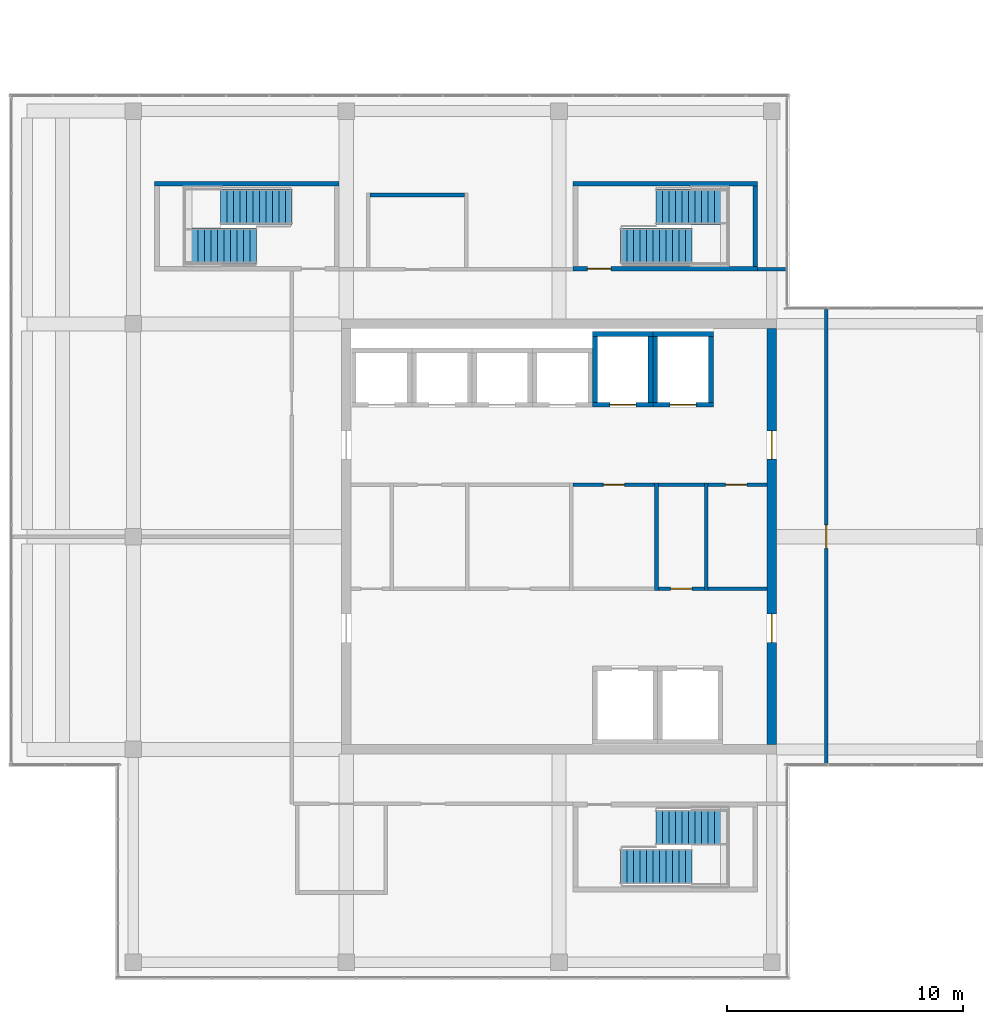
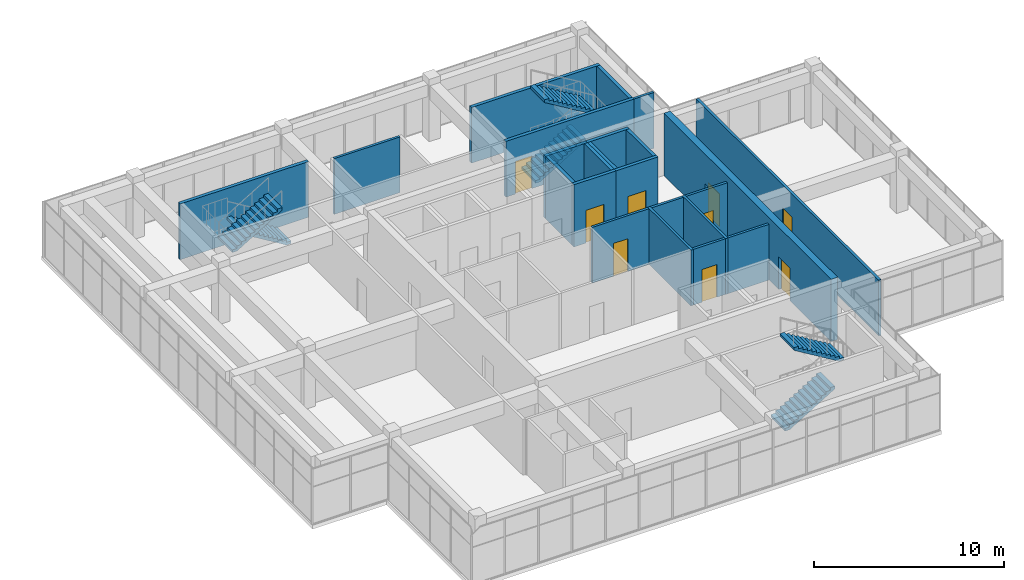
# One storey, part 30 of 32: 23 walls, 9 doors, 6 stair flights, 9 openings, 3 elements without a shape of their own.
"""IFC4 building model written with IfcOpenShell, lengths in metres."""

from ifc_helpers import new_model, si_unit, direction, frame, frame_2d, origin, place, context, subcontext, project, spatial, polyline, rectangle, outline, extrude, material, layer, layer_set, type_object, element, fill, aggregate, save


model = new_model("IFC4")

# Units and contexts
model_context = context("Model", 3, precision=1e-05, world=origin(), true_north=direction((0.0, 1.0)))
body_context = subcontext(model_context, "Body", "Model", "MODEL_VIEW")
ifc_project = project(units=[si_unit("LENGTHUNIT", "METRE"), si_unit("AREAUNIT", "SQUARE_METRE"), si_unit("VOLUMEUNIT", "CUBIC_METRE"), si_unit("PLANEANGLEUNIT", "RADIAN"), si_unit("MASSUNIT", "GRAM", prefix="KILO")], contexts=[model_context])

# Site, building, storey
site_placement = place(None, origin())
site = spatial("IfcSite", under=ifc_project, at=site_placement, CompositionType="ELEMENT")
building_placement = place(site_placement, origin())
building = spatial("IfcBuilding", under=site, at=building_placement, Name="Tuart Plaza Theatre", CompositionType="ELEMENT")
storey_placement = place(building_placement, frame((0.0, 0.0, 37.5)))
storey = spatial("IfcBuildingStorey", under=building, at=storey_placement, Name="L09", CompositionType="ELEMENT", Elevation=37.5)

# Wall
ifc_material_1 = material(Name="Masonry block", Category="masonry")
ifc_layer_1 = layer(ifc_material_1, 0.14990234375)
ifc_layer_set_1 = layer_set([ifc_layer_1], Name="PARTITION BLK150 MASONRYB FRL -/120/120")
wall_type_1 = type_object("IfcWallType", Name="PARTITION BLK150 MASONRYB FRL -/120/120", PredefinedType="PARTITIONING", material=ifc_layer_set_1)
wall_1_placement = place(storey_placement, frame((136.125, 71.72509765625, 0.0), z_axis=(0.0, 0.0, 1.0), x_axis=(0.0, 1.0, 0.0)))
element("IfcWall", 1, at=wall_1_placement, inside=storey, type_object=wall_type_1, Name="P645", PredefinedType="PARTITIONING", context=body_context, shape_type="SweptSolid", body=[
    extrude(rectangle(XDim=4.5498046875, YDim=0.14990234375, at=frame_2d((2.27490234375, 0.0))), origin(), (0.0, 0.0, 1.0), 3.580078125),
])

# Wall, opening, door
wall_2_placement = place(storey_placement, frame((132.60009765625, 76.199951171875, 0.0), z_axis=(0.0, 0.0, 1.0), x_axis=(1.0, 0.0, 0.0)))
wall_2 = element("IfcWall", 2, at=wall_2_placement, inside=storey, type_object=wall_type_1, Name="P647", PredefinedType="PARTITIONING", context=body_context, shape_type="SweptSolid", body=[
    extrude(rectangle(XDim=3.449951171875, YDim=0.14990234375, at=frame_2d((1.72509765625, 0.0))), origin(), (0.0, 0.0, 1.0), 3.580078125),
])
opening_1_placement = place(wall_2_placement, frame((1.27490234375, 0.0, 0.0)))
opening_1 = element("IfcOpeningElement", 3, at=opening_1_placement, cuts=wall_2, Name="Opening L09-019", PredefinedType="OPENING", context=body_context, shape_type="SweptSolid", body=[
    extrude(rectangle(XDim=0.89990234375, YDim=2.10009765625, at=frame_2d((0.449951171875, 1.050048828125))), frame((0.0, 0.0849609375, 0.0), z_axis=(0.0, -1.0, 0.0), x_axis=(1.0, 0.0, 0.0)), (0.0, 0.0, 1.0), 0.169921875),
])
ifc_material_2 = material(Name="Steel Grade 300", Category="steel")
door_type_1 = type_object("IfcDoorType", Name="DOOR 900x2100 steel single swing FRL -/120/30", OperationType="SINGLE_SWING_LEFT", PredefinedType="DOOR", material=ifc_material_2)
door_1_placement = place(opening_1_placement, frame((0.89990234375, 0.0, 0.0), z_axis=(0.0, 0.0, 1.0), x_axis=(-1.0, 0.0, 0.0)))
door_1 = element("IfcDoor", 4, at=door_1_placement, inside=storey, type_object=door_type_1, Name="L09-019", OperationType="SINGLE_SWING_LEFT", OverallHeight=2.10009765625, OverallWidth=0.89990234375, PredefinedType="DOOR", context=body_context, shape_type="SweptSolid", body=[
    extrude(rectangle(XDim=0.89990234375, YDim=2.10009765625, at=frame_2d((0.449951171875, 1.050048828125))), frame((0.0, 0.02490234375, 0.0), z_axis=(0.0, -1.0, 0.0), x_axis=(1.0, 0.0, 0.0)), (0.0, 0.0, 1.0), 0.050048828125),
])
fill(opening_1, door_1)

# Wall
wall_3_placement = place(storey_placement, frame((138.22509765625, 71.72509765625, 0.0), z_axis=(0.0, 0.0, 1.0), x_axis=(0.0, 1.0, 0.0)))
element("IfcWall", 5, at=wall_3_placement, inside=storey, type_object=wall_type_1, Name="P648", PredefinedType="PARTITIONING", context=body_context, shape_type="SweptSolid", body=[
    extrude(rectangle(XDim=4.5498046875, YDim=0.14990234375, at=frame_2d((2.27490234375, 0.0))), origin(), (0.0, 0.0, 1.0), 3.580078125),
])

# Wall, opening, door
wall_4_placement = place(storey_placement, frame((136.199951171875, 71.800048828125, 0.0), z_axis=(0.0, 0.0, 1.0), x_axis=(1.0, 0.0, 0.0)))
wall_4 = element("IfcWall", 6, at=wall_4_placement, inside=storey, type_object=wall_type_1, Name="P649", PredefinedType="PARTITIONING", context=body_context, shape_type="SweptSolid", body=[
    extrude(rectangle(XDim=1.949951171875, YDim=0.14990234375, at=frame_2d((0.97509765625, 0.0))), origin(), (0.0, 0.0, 1.0), 3.580078125),
])
opening_2_placement = place(wall_4_placement, frame((0.52490234375, 0.0, 0.0)))
opening_2 = element("IfcOpeningElement", 7, at=opening_2_placement, cuts=wall_4, Name="Opening L09-020", PredefinedType="OPENING", context=body_context, shape_type="SweptSolid", body=[
    extrude(rectangle(XDim=0.89990234375, YDim=2.10009765625, at=frame_2d((0.449951171875, 1.050048828125))), frame((0.0, 0.0849609375, 0.0), z_axis=(0.0, -1.0, 0.0), x_axis=(1.0, 0.0, 0.0)), (0.0, 0.0, 1.0), 0.169921875),
])
door_2_placement = place(opening_2_placement, origin())
door_2 = element("IfcDoor", 8, at=door_2_placement, inside=storey, type_object=door_type_1, Name="L09-020", OperationType="SINGLE_SWING_LEFT", OverallHeight=2.10009765625, OverallWidth=0.89990234375, PredefinedType="DOOR", context=body_context, shape_type="SweptSolid", body=[
    extrude(rectangle(XDim=0.89990234375, YDim=2.10009765625, at=frame_2d((0.449951171875, 1.050048828125))), frame((0.0, 0.02490234375, 0.0), z_axis=(0.0, -1.0, 0.0), x_axis=(1.0, 0.0, 0.0)), (0.0, 0.0, 1.0), 0.050048828125),
])
fill(opening_2, door_2)

# Walls
wall_5_placement = place(storey_placement, frame((136.199951171875, 76.199951171875, 0.0), z_axis=(0.0, 0.0, 1.0), x_axis=(1.0, 0.0, 0.0)))
element("IfcWall", 9, at=wall_5_placement, inside=storey, type_object=wall_type_1, Name="P650", PredefinedType="PARTITIONING", context=body_context, shape_type="SweptSolid", body=[
    extrude(rectangle(XDim=1.949951171875, YDim=0.14990234375, at=frame_2d((0.97509765625, 0.0))), origin(), (0.0, 0.0, 1.0), 3.580078125),
])
wall_6_placement = place(storey_placement, frame((138.300048828125, 71.800048828125, 0.0), z_axis=(0.0, 0.0, 1.0), x_axis=(1.0, 0.0, 0.0)))
element("IfcWall", 10, at=wall_6_placement, inside=storey, type_object=wall_type_1, Name="P651", PredefinedType="PARTITIONING", context=body_context, shape_type="SweptSolid", body=[
    extrude(rectangle(XDim=2.5, YDim=0.14990234375, at=frame_2d((1.25, 0.0))), origin(), (0.0, 0.0, 1.0), 3.580078125),
])

# Wall, opening, door
wall_7_placement = place(storey_placement, frame((138.300048828125, 76.199951171875, 0.0), z_axis=(0.0, 0.0, 1.0), x_axis=(1.0, 0.0, 0.0)))
wall_7 = element("IfcWall", 11, at=wall_7_placement, inside=storey, type_object=wall_type_1, Name="P652", PredefinedType="PARTITIONING", context=body_context, shape_type="SweptSolid", body=[
    extrude(rectangle(XDim=2.5, YDim=0.14990234375, at=frame_2d((1.25, 0.0))), origin(), (0.0, 0.0, 1.0), 3.580078125),
])
opening_3_placement = place(wall_7_placement, frame((0.75, 0.0, 0.0)))
opening_3 = element("IfcOpeningElement", 12, at=opening_3_placement, cuts=wall_7, Name="Opening L09-021", PredefinedType="OPENING", context=body_context, shape_type="SweptSolid", body=[
    extrude(rectangle(XDim=0.89990234375, YDim=2.10009765625, at=frame_2d((0.449951171875, 1.050048828125))), frame((0.0, 0.0849609375, 0.0), z_axis=(0.0, -1.0, 0.0), x_axis=(1.0, 0.0, 0.0)), (0.0, 0.0, 1.0), 0.169921875),
])
door_3_placement = place(opening_3_placement, frame((0.89990234375, 0.0, 0.0), z_axis=(0.0, 0.0, 1.0), x_axis=(-1.0, 0.0, 0.0)))
door_3 = element("IfcDoor", 13, at=door_3_placement, inside=storey, type_object=door_type_1, Name="L09-021", OperationType="SINGLE_SWING_LEFT", OverallHeight=2.10009765625, OverallWidth=0.89990234375, PredefinedType="DOOR", context=body_context, shape_type="SweptSolid", body=[
    extrude(rectangle(XDim=0.89990234375, YDim=2.10009765625, at=frame_2d((0.449951171875, 1.050048828125))), frame((0.0, 0.02490234375, 0.0), z_axis=(0.0, -1.0, 0.0), x_axis=(1.0, 0.0, 0.0)), (0.0, 0.0, 1.0), 0.050048828125),
])
fill(opening_3, door_3)

ifc_material_3 = material(Name="Masonry block", Category="masonry")
ifc_layer_2 = layer(ifc_material_3, 0.14990234375)
ifc_layer_set_2 = layer_set([ifc_layer_2], Name="PARTITION BLK150 MASONRYB FRL 120/-/-")
wall_type_2 = type_object("IfcWallType", Name="PARTITION BLK150 MASONRYB FRL 120/-/-", PredefinedType="PARTITIONING", material=ifc_layer_set_2)
wall_8_placement = place(storey_placement, frame((143.300048828125, 83.60009765625, 0.0), z_axis=(0.0, 0.0, 1.0), x_axis=(0.0, -1.0, 0.0)))
wall_8 = element("IfcWall", 14, at=wall_8_placement, inside=storey, type_object=wall_type_2, Name="P656", PredefinedType="PARTITIONING", context=body_context, shape_type="SweptSolid", body=[
    extrude(rectangle(XDim=19.2001953125, YDim=0.14990234375, at=frame_2d((9.60009765625, 0.0))), origin(), (0.0, 0.0, 1.0), 3.580078125),
])
opening_4_placement = place(wall_8_placement, frame((9.10009765625, 0.0, 0.0)))
opening_4 = element("IfcOpeningElement", 15, at=opening_4_placement, cuts=wall_8, Name="Opening L09-025", PredefinedType="OPENING", context=body_context, shape_type="SweptSolid", body=[
    extrude(rectangle(XDim=1.0, YDim=2.10009765625, at=frame_2d((0.5, 1.050048828125))), frame((0.0, 0.0849609375, 0.0), z_axis=(0.0, -1.0, 0.0), x_axis=(1.0, 0.0, 0.0)), (0.0, 0.0, 1.0), 0.169921875),
])
ifc_material_4 = material(Name="Timber", Category="wood")
door_type_2 = type_object("IfcDoorType", Name="DOOR 1000x2100 timber single swing FRL -/60/30", OperationType="SINGLE_SWING_LEFT", PredefinedType="DOOR", material=ifc_material_4)
door_4_placement = place(opening_4_placement, origin())
door_4 = element("IfcDoor", 16, at=door_4_placement, inside=storey, type_object=door_type_2, Name="L09-025", OperationType="SINGLE_SWING_LEFT", OverallHeight=2.10009765625, OverallWidth=1.0, PredefinedType="DOOR", context=body_context, shape_type="SweptSolid", body=[
    extrude(rectangle(XDim=1.0, YDim=2.10009765625, at=frame_2d((0.5, 1.050048828125))), frame((0.0, 0.02490234375, 0.0), z_axis=(0.0, -1.0, 0.0), x_axis=(1.0, 0.0, 0.0)), (0.0, 0.0, 1.0), 0.050048828125),
])
fill(opening_4, door_4)

# Walls
wall_9_placement = place(storey_placement, frame((140.39990234375, 85.300048828125, 0.0), z_axis=(0.0, 0.0, 1.0), x_axis=(1.0, 0.0, 0.0)))
element("IfcWall", 17, at=wall_9_placement, inside=storey, type_object=wall_type_2, Name="P658", PredefinedType="PARTITIONING", context=body_context, shape_type="SweptSolid", body=[
    extrude(rectangle(XDim=1.2001953125, YDim=0.14990234375, at=frame_2d((0.60009765625, 0.0))), origin(), (0.0, 0.0, 1.0), 3.580078125),
])
wall_10_placement = place(storey_placement, frame((124.0, 88.449951171875, 0.0), z_axis=(0.0, 0.0, 1.0), x_axis=(1.0, 0.0, 0.0)))
element("IfcWall", 18, at=wall_10_placement, inside=storey, type_object=wall_type_2, Name="P663", PredefinedType="PARTITIONING", context=body_context, shape_type="SweptSolid", body=[
    extrude(rectangle(XDim=4.0, YDim=0.14990234375, at=frame_2d((2.0, 0.0))), origin(), (0.0, 0.0, 1.0), 3.580078125),
])

# Wall, opening, door
ifc_material_5 = material(Name="Concrete N40 (40 MPa)", Category="concrete")
ifc_layer_3 = layer(ifc_material_5, 0.199951171875)
ifc_layer_set_3 = layer_set([ifc_layer_3], Name="SHEAR WALL RC200 FRL 120/120/120")
wall_type_3 = type_object("IfcWallType", Name="SHEAR WALL RC200 FRL 120/120/120", PredefinedType="SHEAR", material=ifc_layer_set_3)
wall_11_placement = place(storey_placement, frame((133.425048828125, 79.574951171875, 0.0), z_axis=(0.0, 0.0, 1.0), x_axis=(1.0, 0.0, 0.0)))
wall_11 = element("IfcWall", 19, at=wall_11_placement, inside=storey, type_object=wall_type_3, Name="W1202", PredefinedType="SHEAR", context=body_context, shape_type="SweptSolid", body=[
    extrude(rectangle(XDim=2.550048828125, YDim=0.199951171875, at=frame_2d((1.27490234375, 0.0))), origin(), (0.0, 0.0, 1.0), 4.0),
])
opening_5_placement = place(wall_11_placement, frame((0.72509765625, 0.0, 0.0)))
opening_5 = element("IfcOpeningElement", 20, at=opening_5_placement, cuts=wall_11, Name="Opening L09-007", PredefinedType="OPENING", context=body_context, shape_type="SweptSolid", body=[
    extrude(rectangle(XDim=1.10009765625, YDim=2.10009765625, at=frame_2d((0.550048828125, 1.050048828125))), frame((0.0, 0.10986328125, 0.0), z_axis=(0.0, -1.0, 0.0), x_axis=(1.0, 0.0, 0.0)), (0.0, 0.0, 1.0), 0.219970703125),
])
ifc_material_6 = material(Name="Steel Grade 300", Category="steel")
door_type_3 = type_object("IfcDoorType", Name="LANDING DOOR 1100x2100 steel sliding FRL -/120/30", OperationType="SLIDING_TO_LEFT", PredefinedType="DOOR", material=ifc_material_6)
door_5_placement = place(opening_5_placement, origin())
door_5 = element("IfcDoor", 21, at=door_5_placement, inside=storey, type_object=door_type_3, Name="L09-007", OperationType="SLIDING_TO_LEFT", OverallHeight=2.10009765625, OverallWidth=1.10009765625, PredefinedType="DOOR", context=body_context, shape_type="SweptSolid", body=[
    extrude(rectangle(XDim=1.10009765625, YDim=2.10009765625, at=frame_2d((0.550048828125, 1.050048828125))), frame((0.0, 0.02490234375, 0.0), z_axis=(0.0, -1.0, 0.0), x_axis=(1.0, 0.0, 0.0)), (0.0, 0.0, 1.0), 0.050048828125),
])
fill(opening_5, door_5)

# Walls
wall_12_placement = place(storey_placement, frame((135.875, 79.675048828125, 0.0), z_axis=(0.0, 0.0, 1.0), x_axis=(0.0, 1.0, 0.0)))
element("IfcWall", 22, at=wall_12_placement, inside=storey, type_object=wall_type_3, Name="W1203", PredefinedType="SHEAR", context=body_context, shape_type="SweptSolid", body=[
    extrude(rectangle(XDim=2.800048828125, YDim=0.199951171875, at=frame_2d((1.39990234375, 0.0))), origin(), (0.0, 0.0, 1.0), 4.0),
])
wall_13_placement = place(storey_placement, frame((135.97509765625, 82.574951171875, 0.0), z_axis=(0.0, 0.0, 1.0), x_axis=(-1.0, 0.0, 0.0)))
element("IfcWall", 23, at=wall_13_placement, inside=storey, type_object=wall_type_3, Name="W1204", PredefinedType="SHEAR", context=body_context, shape_type="SweptSolid", body=[
    extrude(rectangle(XDim=2.550048828125, YDim=0.199951171875, at=frame_2d((1.27490234375, 0.0))), origin(), (0.0, 0.0, 1.0), 4.0),
])
wall_14_placement = place(storey_placement, frame((133.52490234375, 82.47509765625, 0.0), z_axis=(0.0, 0.0, 1.0), x_axis=(0.0, -1.0, 0.0)))
element("IfcWall", 24, at=wall_14_placement, inside=storey, type_object=wall_type_3, Name="W1205", PredefinedType="SHEAR", context=body_context, shape_type="SweptSolid", body=[
    extrude(rectangle(XDim=2.800048828125, YDim=0.199951171875, at=frame_2d((1.39990234375, 0.0))), origin(), (0.0, 0.0, 1.0), 4.0),
])

# Wall, opening, door
wall_15_placement = place(storey_placement, frame((135.97509765625, 79.574951171875, 0.0), z_axis=(0.0, 0.0, 1.0), x_axis=(1.0, 0.0, 0.0)))
wall_15 = element("IfcWall", 25, at=wall_15_placement, inside=storey, type_object=wall_type_3, Name="W1278", PredefinedType="SHEAR", context=body_context, shape_type="SweptSolid", body=[
    extrude(rectangle(XDim=2.5498046875, YDim=0.199951171875, at=frame_2d((1.27490234375, 0.0))), origin(), (0.0, 0.0, 1.0), 4.0),
])
opening_6_placement = place(wall_15_placement, frame((0.72509765625, 0.0, 0.0)))
opening_6 = element("IfcOpeningElement", 26, at=opening_6_placement, cuts=wall_15, Name="Opening L09-008", PredefinedType="OPENING", context=body_context, shape_type="SweptSolid", body=[
    extrude(rectangle(XDim=1.10009765625, YDim=2.10009765625, at=frame_2d((0.550048828125, 1.050048828125))), frame((0.0, 0.10986328125, 0.0), z_axis=(0.0, -1.0, 0.0), x_axis=(1.0, 0.0, 0.0)), (0.0, 0.0, 1.0), 0.219970703125),
])
door_6_placement = place(opening_6_placement, origin())
door_6 = element("IfcDoor", 27, at=door_6_placement, inside=storey, type_object=door_type_3, Name="L09-008", OperationType="SLIDING_TO_LEFT", OverallHeight=2.10009765625, OverallWidth=1.10009765625, PredefinedType="DOOR", context=body_context, shape_type="SweptSolid", body=[
    extrude(rectangle(XDim=1.10009765625, YDim=2.10009765625, at=frame_2d((0.550048828125, 1.050048828125))), frame((0.0, 0.02490234375, 0.0), z_axis=(0.0, -1.0, 0.0), x_axis=(1.0, 0.0, 0.0)), (0.0, 0.0, 1.0), 0.050048828125),
])
fill(opening_6, door_6)

# Walls
wall_16_placement = place(storey_placement, frame((138.425048828125, 79.675048828125, 0.0), z_axis=(0.0, 0.0, 1.0), x_axis=(0.0, 1.0, 0.0)))
element("IfcWall", 28, at=wall_16_placement, inside=storey, type_object=wall_type_3, Name="W1279", PredefinedType="SHEAR", context=body_context, shape_type="SweptSolid", body=[
    extrude(rectangle(XDim=2.800048828125, YDim=0.199951171875, at=frame_2d((1.39990234375, 0.0))), origin(), (0.0, 0.0, 1.0), 4.0),
])
wall_17_placement = place(storey_placement, frame((138.52490234375, 82.574951171875, 0.0), z_axis=(0.0, 0.0, 1.0), x_axis=(-1.0, 0.0, 0.0)))
element("IfcWall", 29, at=wall_17_placement, inside=storey, type_object=wall_type_3, Name="W1280", PredefinedType="SHEAR", context=body_context, shape_type="SweptSolid", body=[
    extrude(rectangle(XDim=2.5498046875, YDim=0.199951171875, at=frame_2d((1.27490234375, 0.0))), origin(), (0.0, 0.0, 1.0), 4.0),
])
wall_18_placement = place(storey_placement, frame((136.074951171875, 82.47509765625, 0.0), z_axis=(0.0, 0.0, 1.0), x_axis=(0.0, -1.0, 0.0)))
element("IfcWall", 30, at=wall_18_placement, inside=storey, type_object=wall_type_3, Name="W1281", PredefinedType="SHEAR", context=body_context, shape_type="SweptSolid", body=[
    extrude(rectangle(XDim=2.800048828125, YDim=0.199951171875, at=frame_2d((1.39990234375, 0.0))), origin(), (0.0, 0.0, 1.0), 4.0),
])

# Wall, opening, door
wall_19_placement = place(storey_placement, frame((132.60009765625, 85.324951171875, 0.0), z_axis=(0.0, 0.0, 1.0), x_axis=(1.0, 0.0, 0.0)))
wall_19 = element("IfcWall", 31, at=wall_19_placement, inside=storey, type_object=wall_type_3, Name="P432", PredefinedType="SHEAR", context=body_context, shape_type="SweptSolid", body=[
    extrude(rectangle(XDim=7.7998046875, YDim=0.199951171875, at=frame_2d((3.89990234375, 0.0))), origin(), (0.0, 0.0, 1.0), 3.580078125),
])
opening_7_placement = place(wall_19_placement, frame((0.60009765625, 0.0, 0.0)))
opening_7 = element("IfcOpeningElement", 32, at=opening_7_placement, cuts=wall_19, Name="Opening L09-010", PredefinedType="OPENING", context=body_context, shape_type="SweptSolid", body=[
    extrude(rectangle(XDim=1.0, YDim=2.10009765625, at=frame_2d((0.5, 1.050048828125))), frame((0.0, 0.10986328125, 0.0), z_axis=(0.0, -1.0, 0.0), x_axis=(1.0, 0.0, 0.0)), (0.0, 0.0, 1.0), 0.219970703125),
])
ifc_material_7 = material(Name="Steel Grade 300", Category="steel")
door_type_4 = type_object("IfcDoorType", Name="DOOR 1000x2100 steel single swing FRL -/120/30", OperationType="SINGLE_SWING_LEFT", PredefinedType="DOOR", material=ifc_material_7)
door_7_placement = place(opening_7_placement, origin())
door_7 = element("IfcDoor", 33, at=door_7_placement, inside=storey, type_object=door_type_4, Name="L09-010", OperationType="SINGLE_SWING_RIGHT", OverallHeight=2.10009765625, OverallWidth=1.0, PredefinedType="DOOR", context=body_context, shape_type="SweptSolid", body=[
    extrude(rectangle(XDim=1.0, YDim=2.10009765625, at=frame_2d((0.5, 1.050048828125))), frame((0.0, 0.02490234375, 0.0), z_axis=(0.0, -1.0, 0.0), x_axis=(1.0, 0.0, 0.0)), (0.0, 0.0, 1.0), 0.050048828125),
])
fill(opening_7, door_7)

# Walls
wall_20_placement = place(storey_placement, frame((140.300048828125, 85.425048828125, 0.0), z_axis=(0.0, 0.0, 1.0), x_axis=(0.0, 1.0, 0.0)))
element("IfcWall", 34, at=wall_20_placement, inside=storey, type_object=wall_type_3, Name="P433", PredefinedType="SHEAR", context=body_context, shape_type="SweptSolid", body=[
    extrude(rectangle(XDim=3.39990234375, YDim=0.199951171875, at=frame_2d((1.699951171875, 0.0))), origin(), (0.0, 0.0, 1.0), 3.580078125),
])
wall_21_placement = place(storey_placement, frame((140.39990234375, 88.925048828125, 0.0), z_axis=(0.0, 0.0, 1.0), x_axis=(-1.0, 0.0, 0.0)))
element("IfcWall", 35, at=wall_21_placement, inside=storey, type_object=wall_type_3, Name="P434", PredefinedType="SHEAR", context=body_context, shape_type="SweptSolid", body=[
    extrude(rectangle(XDim=7.7998046875, YDim=0.199951171875, at=frame_2d((3.89990234375, 0.0))), origin(), (0.0, 0.0, 1.0), 3.580078125),
])
wall_22_placement = place(storey_placement, frame((122.699951171875, 88.925048828125, 0.0), z_axis=(0.0, 0.0, 1.0), x_axis=(-1.0, 0.0, 0.0)))
element("IfcWall", 36, at=wall_22_placement, inside=storey, type_object=wall_type_3, Name="P462", PredefinedType="SHEAR", context=body_context, shape_type="SweptSolid", body=[
    extrude(rectangle(XDim=7.800048828125, YDim=0.199951171875, at=frame_2d((3.89990234375, 0.0))), origin(), (0.0, 0.0, 1.0), 3.580078125),
])

# Wall, openings, doors
ifc_material_8 = material(Name="Concrete N50 (50 MPa)", Category="concrete")
ifc_layer_4 = layer(ifc_material_8, 0.39990234375)
ifc_layer_set_4 = layer_set([ifc_layer_4], Name="SHEAR WALL RC400 N50 FRL 120/120/120")
wall_type_4 = type_object("IfcWallType", Name="SHEAR WALL RC400 N50 FRL 120/120/120", PredefinedType="SHEAR", material=ifc_layer_set_4)
wall_23_placement = place(storey_placement, frame((141.0, 65.199951171875, 0.0), z_axis=(0.0, 0.0, 1.0), x_axis=(0.0, 1.0, 0.0)))
wall_23 = element("IfcWall", 37, at=wall_23_placement, inside=storey, type_object=wall_type_4, Name="W396", PredefinedType="SHEAR", context=body_context, shape_type="SweptSolid", body=[
    extrude(rectangle(XDim=17.60009765625, YDim=0.39990234375, at=frame_2d((8.800048828125, 0.0))), origin(), (0.0, 0.0, 1.0), 4.0),
])
opening_8_placement = place(wall_23_placement, frame((4.324951171875, 0.0, 0.0)))
opening_8 = element("IfcOpeningElement", 38, at=opening_8_placement, cuts=wall_23, Name="Opening L09-013", PredefinedType="OPENING", context=body_context, shape_type="SweptSolid", body=[
    extrude(rectangle(XDim=1.199951171875, YDim=2.10009765625, at=frame_2d((0.60009765625, 1.050048828125))), frame((0.0, 0.2099609375, 0.0), z_axis=(0.0, -1.0, 0.0), x_axis=(1.0, 0.0, 0.0)), (0.0, 0.0, 1.0), 0.419921875),
])
opening_9_placement = place(wall_23_placement, frame((12.074951171875, 0.0, 0.0)))
opening_9 = element("IfcOpeningElement", 39, at=opening_9_placement, cuts=wall_23, Name="Opening L09-015", PredefinedType="OPENING", context=body_context, shape_type="SweptSolid", body=[
    extrude(rectangle(XDim=1.199951171875, YDim=2.10009765625, at=frame_2d((0.60009765625, 1.050048828125))), frame((0.0, 0.2099609375, 0.0), z_axis=(0.0, -1.0, 0.0), x_axis=(1.0, 0.0, 0.0)), (0.0, 0.0, 1.0), 0.419921875),
])
ifc_material_9 = material(Name="Steel Grade 300", Category="steel")
door_type_5 = type_object("IfcDoorType", Name="DOOR 1200x2100 steel single swing FRL -/120/30", OperationType="SINGLE_SWING_LEFT", PredefinedType="DOOR", material=ifc_material_9)
door_8_placement = place(opening_8_placement, frame((1.199951171875, 0.0, 0.0), z_axis=(0.0, 0.0, 1.0), x_axis=(-1.0, 0.0, 0.0)))
door_8 = element("IfcDoor", 40, at=door_8_placement, inside=storey, type_object=door_type_5, Name="L09-013", OperationType="SINGLE_SWING_LEFT", OverallHeight=2.10009765625, OverallWidth=1.199951171875, PredefinedType="DOOR", context=body_context, shape_type="SweptSolid", body=[
    extrude(rectangle(XDim=1.199951171875, YDim=2.10009765625, at=frame_2d((0.60009765625, 1.050048828125))), frame((0.0, 0.02490234375, 0.0), z_axis=(0.0, -1.0, 0.0), x_axis=(1.0, 0.0, 0.0)), (0.0, 0.0, 1.0), 0.050048828125),
])
fill(opening_8, door_8)
door_9_placement = place(opening_9_placement, frame((1.199951171875, 0.0, 0.0), z_axis=(0.0, 0.0, 1.0), x_axis=(-1.0, 0.0, 0.0)))
door_9 = element("IfcDoor", 41, at=door_9_placement, inside=storey, type_object=door_type_5, Name="L09-015", OperationType="SINGLE_SWING_RIGHT", OverallHeight=2.10009765625, OverallWidth=1.199951171875, PredefinedType="DOOR", context=body_context, shape_type="SweptSolid", body=[
    extrude(rectangle(XDim=1.199951171875, YDim=2.10009765625, at=frame_2d((0.60009765625, 1.050048828125))), frame((0.0, 0.02490234375, 0.0), z_axis=(0.0, -1.0, 0.0), x_axis=(1.0, 0.0, 0.0)), (0.0, 0.0, 1.0), 0.050048828125),
])
fill(opening_9, door_9)

# Stair, stair flights
ifc_material_10 = material(Name="Concrete N40 (40 MPa)", Category="concrete")
stair_type = type_object("IfcStairType", Name="STAIR half turn 1500", PredefinedType="HALF_TURN_STAIR", material=ifc_material_10)
stair_1_placement = place(storey_placement, origin())
stair_1 = element("IfcStair", 42, at=stair_1_placement, inside=storey, type_object=stair_type, Name="SC-4", PredefinedType="HALF_TURN_STAIR")
ifc_material_11 = material(Name="Concrete N40 (40 MPa)", Category="concrete")
stair_flight_type = type_object("IfcStairFlightType", Name="STAIR FLIGHT 166.7 275 1500", PredefinedType="STRAIGHT", material=ifc_material_11)
stair_flight_1_placement = place(storey_placement, frame((134.594970703125, 60.050048828125, 0.0), z_axis=(0.0, 0.0, 1.0), x_axis=(1.0, 0.0, 0.0)))
stair_flight_1 = element("IfcStairFlight", 43, at=stair_flight_1_placement, type_object=stair_flight_type, Name="SC-4 flight 1", NumberOfRisers=12, NumberOfTreads=11, PredefinedType="STRAIGHT", RiserHeight=0.166666667, TreadLength=0.275, context=body_context, shape_type="SweptSolid", body=[
    extrude(outline(polyline([(0.0, 0.0), (0.0, 0.166748046875), (0.27490234375, 0.166748046875), (0.27490234375, 0.333251953125), (0.550048828125, 0.333251953125), (0.550048828125, 0.5), (0.824951171875, 0.5), (0.824951171875, 0.666748046875), (1.10009765625, 0.666748046875), (1.10009765625, 0.833251953125), (1.375, 0.833251953125), (1.375, 1.0), (1.64990234375, 1.0), (1.64990234375, 1.166748046875), (1.925048828125, 1.166748046875), (1.925048828125, 1.333251953125), (2.199951171875, 1.333251953125), (2.199951171875, 1.5), (2.47509765625, 1.5), (2.47509765625, 1.666748046875), (2.75, 1.666748046875), (2.75, 1.833251953125), (3.02490234375, 1.833251953125), (3.02490234375, 2.0), (3.02490234375, 1.657958984375), (0.289306640625, 0.0), (0.0, 0.0)])), frame((0.0, 0.75, 0.0), z_axis=(0.0, -1.0, 0.0), x_axis=(1.0, 0.0, 0.0)), (0.0, 0.0, 1.0), 1.5),
])
stair_flight_2_placement = place(storey_placement, frame((139.1201171875, 61.699951171875, 2.0), z_axis=(0.0, 0.0, 1.0), x_axis=(-1.0, 0.0, 0.0)))
stair_flight_2 = element("IfcStairFlight", 44, at=stair_flight_2_placement, type_object=stair_flight_type, Name="SC-4 flight 2", NumberOfRisers=12, NumberOfTreads=11, PredefinedType="STRAIGHT", RiserHeight=0.166666667, TreadLength=0.275, context=body_context, shape_type="SweptSolid", body=[
    extrude(outline(polyline([(0.0, 0.0), (0.0, 0.166748046875), (0.27490234375, 0.166748046875), (0.27490234375, 0.333251953125), (0.550048828125, 0.333251953125), (0.550048828125, 0.5), (0.824951171875, 0.5), (0.824951171875, 0.666748046875), (1.10009765625, 0.666748046875), (1.10009765625, 0.833251953125), (1.375, 0.833251953125), (1.375, 1.0), (1.64990234375, 1.0), (1.64990234375, 1.166748046875), (1.925048828125, 1.166748046875), (1.925048828125, 1.333251953125), (2.199951171875, 1.333251953125), (2.199951171875, 1.5), (2.47509765625, 1.5), (2.47509765625, 1.666748046875), (2.75, 1.666748046875), (2.75, 1.833251953125), (3.02490234375, 1.833251953125), (3.02490234375, 2.0), (3.02490234375, 1.657958984375), (0.289306640625, 0.0), (0.0, 0.0)])), frame((0.0, 0.75, 0.0), z_axis=(0.0, -1.0, 0.0), x_axis=(1.0, 0.0, 0.0)), (0.0, 0.0, 1.0), 1.5),
])
aggregate(stair_1, [stair_flight_1, stair_flight_2])

stair_2_placement = place(storey_placement, origin())
stair_2 = element("IfcStair", 45, at=stair_2_placement, inside=storey, type_object=stair_type, Name="SC-10", PredefinedType="HALF_TURN_STAIR")
stair_flight_3_placement = place(storey_placement, frame((134.594970703125, 86.300048828125, 0.0), z_axis=(0.0, 0.0, 1.0), x_axis=(1.0, 0.0, 0.0)))
stair_flight_3 = element("IfcStairFlight", 46, at=stair_flight_3_placement, type_object=stair_flight_type, Name="SC-10 flight 1", NumberOfRisers=12, NumberOfTreads=11, PredefinedType="STRAIGHT", RiserHeight=0.166666667, TreadLength=0.275, context=body_context, shape_type="SweptSolid", body=[
    extrude(outline(polyline([(0.0, 0.0), (0.0, 0.166748046875), (0.27490234375, 0.166748046875), (0.27490234375, 0.333251953125), (0.550048828125, 0.333251953125), (0.550048828125, 0.5), (0.824951171875, 0.5), (0.824951171875, 0.666748046875), (1.10009765625, 0.666748046875), (1.10009765625, 0.833251953125), (1.375, 0.833251953125), (1.375, 1.0), (1.64990234375, 1.0), (1.64990234375, 1.166748046875), (1.925048828125, 1.166748046875), (1.925048828125, 1.333251953125), (2.199951171875, 1.333251953125), (2.199951171875, 1.5), (2.47509765625, 1.5), (2.47509765625, 1.666748046875), (2.75, 1.666748046875), (2.75, 1.833251953125), (3.02490234375, 1.833251953125), (3.02490234375, 2.0), (3.02490234375, 1.657958984375), (0.289306640625, 0.0), (0.0, 0.0)])), frame((0.0, 0.75, 0.0), z_axis=(0.0, -1.0, 0.0), x_axis=(1.0, 0.0, 0.0)), (0.0, 0.0, 1.0), 1.5),
])
stair_flight_4_placement = place(storey_placement, frame((139.1201171875, 87.949951171875, 2.0), z_axis=(0.0, 0.0, 1.0), x_axis=(-1.0, 0.0, 0.0)))
stair_flight_4 = element("IfcStairFlight", 47, at=stair_flight_4_placement, type_object=stair_flight_type, Name="SC-10 flight 2", NumberOfRisers=12, NumberOfTreads=11, PredefinedType="STRAIGHT", RiserHeight=0.166666667, TreadLength=0.275, context=body_context, shape_type="SweptSolid", body=[
    extrude(outline(polyline([(0.0, 0.0), (0.0, 0.166748046875), (0.27490234375, 0.166748046875), (0.27490234375, 0.333251953125), (0.550048828125, 0.333251953125), (0.550048828125, 0.5), (0.824951171875, 0.5), (0.824951171875, 0.666748046875), (1.10009765625, 0.666748046875), (1.10009765625, 0.833251953125), (1.375, 0.833251953125), (1.375, 1.0), (1.64990234375, 1.0), (1.64990234375, 1.166748046875), (1.925048828125, 1.166748046875), (1.925048828125, 1.333251953125), (2.199951171875, 1.333251953125), (2.199951171875, 1.5), (2.47509765625, 1.5), (2.47509765625, 1.666748046875), (2.75, 1.666748046875), (2.75, 1.833251953125), (3.02490234375, 1.833251953125), (3.02490234375, 2.0), (3.02490234375, 1.657958984375), (0.289306640625, 0.0), (0.0, 0.0)])), frame((0.0, 0.75, 0.0), z_axis=(0.0, -1.0, 0.0), x_axis=(1.0, 0.0, 0.0)), (0.0, 0.0, 1.0), 1.5),
])
aggregate(stair_2, [stair_flight_3, stair_flight_4])

stair_3_placement = place(storey_placement, origin())
stair_3 = element("IfcStair", 48, at=stair_3_placement, inside=storey, type_object=stair_type, Name="SC-16", PredefinedType="HALF_TURN_STAIR")
stair_flight_5_placement = place(storey_placement, frame((120.705078125, 87.949951171875, 0.0), z_axis=(0.0, 0.0, 1.0), x_axis=(-1.0, 0.0, 0.0)))
stair_flight_5 = element("IfcStairFlight", 49, at=stair_flight_5_placement, type_object=stair_flight_type, Name="SC-16 flight 1", NumberOfRisers=12, NumberOfTreads=11, PredefinedType="STRAIGHT", RiserHeight=0.166666667, TreadLength=0.275, context=body_context, shape_type="SweptSolid", body=[
    extrude(outline(polyline([(0.0, 0.0), (0.0, 0.166748046875), (0.27490234375, 0.166748046875), (0.27490234375, 0.333251953125), (0.550048828125, 0.333251953125), (0.550048828125, 0.5), (0.824951171875, 0.5), (0.824951171875, 0.666748046875), (1.10009765625, 0.666748046875), (1.10009765625, 0.833251953125), (1.375, 0.833251953125), (1.375, 1.0), (1.64990234375, 1.0), (1.64990234375, 1.166748046875), (1.925048828125, 1.166748046875), (1.925048828125, 1.333251953125), (2.199951171875, 1.333251953125), (2.199951171875, 1.5), (2.47509765625, 1.5), (2.47509765625, 1.666748046875), (2.75, 1.666748046875), (2.75, 1.833251953125), (3.02490234375, 1.833251953125), (3.02490234375, 2.0), (3.02490234375, 1.657958984375), (0.289306640625, 0.0), (0.0, 0.0)])), frame((0.0, 0.75, 0.0), z_axis=(0.0, -1.0, 0.0), x_axis=(1.0, 0.0, 0.0)), (0.0, 0.0, 1.0), 1.5),
])
stair_flight_6_placement = place(storey_placement, frame((116.179931640625, 86.300048828125, 2.0), z_axis=(0.0, 0.0, 1.0), x_axis=(1.0, 0.0, 0.0)))
stair_flight_6 = element("IfcStairFlight", 50, at=stair_flight_6_placement, type_object=stair_flight_type, Name="SC-16 flight 2", NumberOfRisers=12, NumberOfTreads=11, PredefinedType="STRAIGHT", RiserHeight=0.166666667, TreadLength=0.275, context=body_context, shape_type="SweptSolid", body=[
    extrude(outline(polyline([(0.0, 0.0), (0.0, 0.166748046875), (0.27490234375, 0.166748046875), (0.27490234375, 0.333251953125), (0.550048828125, 0.333251953125), (0.550048828125, 0.5), (0.824951171875, 0.5), (0.824951171875, 0.666748046875), (1.10009765625, 0.666748046875), (1.10009765625, 0.833251953125), (1.375, 0.833251953125), (1.375, 1.0), (1.64990234375, 1.0), (1.64990234375, 1.166748046875), (1.925048828125, 1.166748046875), (1.925048828125, 1.333251953125), (2.199951171875, 1.333251953125), (2.199951171875, 1.5), (2.47509765625, 1.5), (2.47509765625, 1.666748046875), (2.75, 1.666748046875), (2.75, 1.833251953125), (3.02490234375, 1.833251953125), (3.02490234375, 2.0), (3.02490234375, 1.657958984375), (0.289306640625, 0.0), (0.0, 0.0)])), frame((0.0, 0.75, 0.0), z_axis=(0.0, -1.0, 0.0), x_axis=(1.0, 0.0, 0.0)), (0.0, 0.0, 1.0), 1.5),
])
aggregate(stair_3, [stair_flight_5, stair_flight_6])

save(model, "model.ifc")
